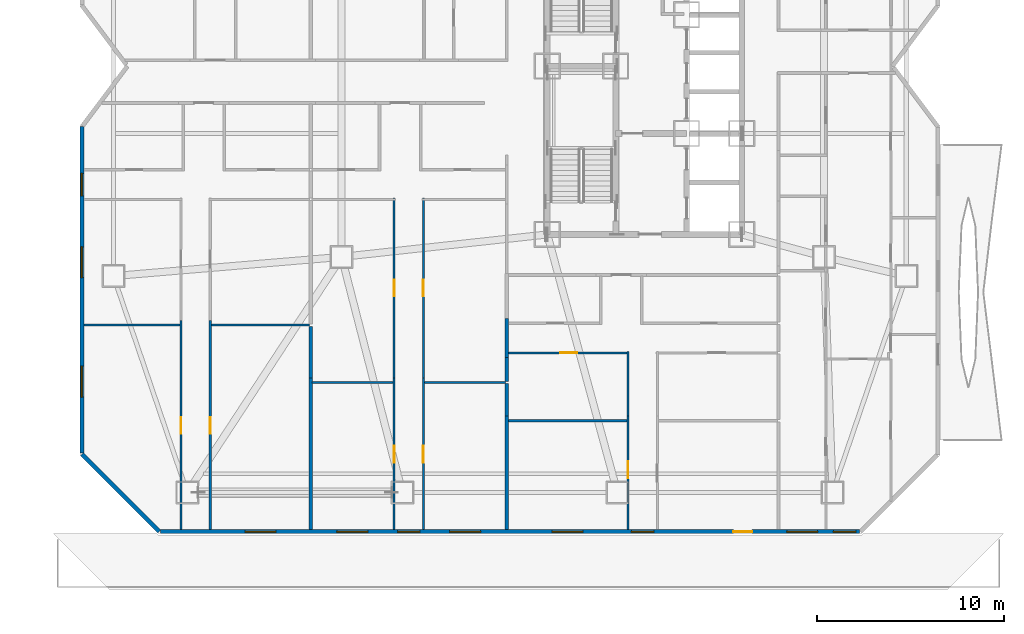
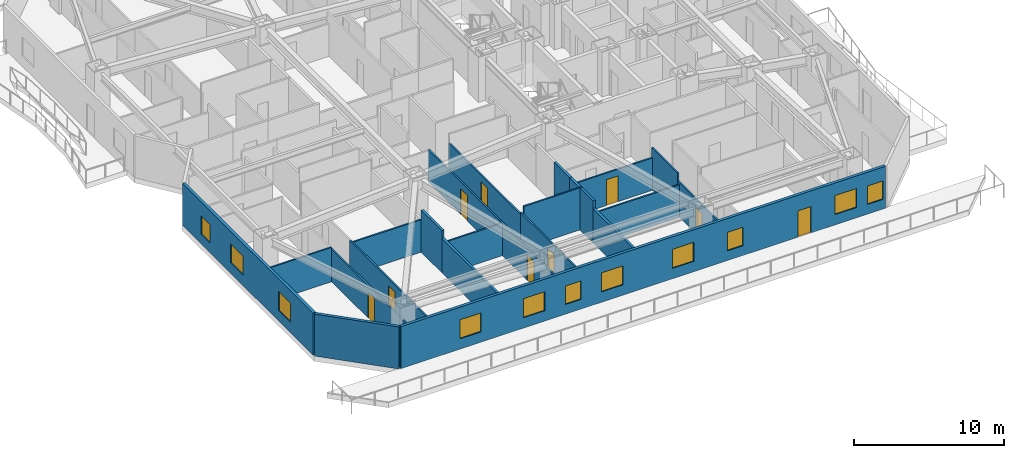
# One storey, part 9 of 18: 23 walls, 11 windows, 9 doors, 20 openings.
"""IFC4 building model written with IfcOpenShell, lengths in metres."""

from ifc_helpers import new_model, si_unit, direction, frame, frame_2d, origin, place, context, subcontext, project, spatial, rectangle, extrude, material, layer, layer_set, type_object, element, fill, save


model = new_model("IFC4")

# Units and contexts
model_context = context("Model", 3, precision=1e-05, world=origin(), true_north=direction((0.0, 1.0)))
body_context = subcontext(model_context, "Body", "Model", "MODEL_VIEW")
ifc_project = project(units=[si_unit("LENGTHUNIT", "METRE"), si_unit("AREAUNIT", "SQUARE_METRE"), si_unit("VOLUMEUNIT", "CUBIC_METRE"), si_unit("PLANEANGLEUNIT", "RADIAN"), si_unit("MASSUNIT", "GRAM", prefix="KILO")], contexts=[model_context])

# Site, building, storey
site_placement = place(None, origin())
site = spatial("IfcSite", under=ifc_project, at=site_placement, CompositionType="ELEMENT")
building_placement = place(site_placement, origin())
building = spatial("IfcBuilding", under=site, at=building_placement, Name="Khamvora Tower", CompositionType="ELEMENT")
storey_placement = place(building_placement, frame((0.0, 0.0, 33.300048828125)))
storey = spatial("IfcBuildingStorey", under=building, at=storey_placement, Name="L07", CompositionType="ELEMENT", Elevation=33.300048828125)

# Walls
ifc_material_1 = material(Name="Acoustic Double-Stud Fire Wall", Category="gypsum")
ifc_layer_1 = layer(ifc_material_1, 0.179931640625)
ifc_layer_set_1 = layer_set([ifc_layer_1], Name="Acoustic Double-Stud Fire Wall")
wall_type_1 = type_object("IfcWallType", Name="WAL-CORR-180", PredefinedType="STANDARD", material=ifc_layer_set_1)
wall_1_placement = place(storey_placement, frame((16.345947265625, 11.33203125, 0.0), z_axis=(0.0, 0.0, 1.0), x_axis=(0.0, -1.0, 0.0)))
element("IfcWall", 1, at=wall_1_placement, inside=storey, type_object=wall_type_1, Name="L07 interior partition wall 053", PredefinedType="STANDARD", context=body_context, shape_type="SweptSolid", body=[
    extrude(rectangle(XDim=8.1201171875, YDim=0.179931640625, at=frame_2d((4.06005859375, 0.0))), origin(), (0.0, 0.0, 1.0), 2.802978515625),
])
wall_2_placement = place(storey_placement, frame((16.345947265625, 14.091064453125, 0.0), z_axis=(0.0, 0.0, 1.0), x_axis=(0.0, -1.0, 0.0)))
element("IfcWall", 2, at=wall_2_placement, inside=storey, type_object=wall_type_1, Name="L07 interior partition wall 054", PredefinedType="STANDARD", context=body_context, shape_type="SweptSolid", body=[
    extrude(rectangle(XDim=2.759033203125, YDim=0.179931640625, at=frame_2d((1.37939453125, 0.0))), origin(), (0.0, 0.0, 1.0), 3.429931640625),
])
wall_3_placement = place(storey_placement, frame((26.8349609375, 9.281982421875, 0.0), z_axis=(0.0, 0.0, 1.0), x_axis=(0.0, -1.0, 0.0)))
element("IfcWall", 3, at=wall_3_placement, inside=storey, type_object=wall_type_1, Name="L07 interior partition wall 068", PredefinedType="STANDARD", context=body_context, shape_type="SweptSolid", body=[
    extrude(rectangle(XDim=6.070068359375, YDim=0.179931640625, at=frame_2d((3.03515625, 0.0))), origin(), (0.0, 0.0, 1.0), 2.802978515625),
])
wall_4_placement = place(storey_placement, frame((26.8349609375, 11.01806640625, 0.0), z_axis=(0.0, 0.0, 1.0), x_axis=(0.0, -1.0, 0.0)))
element("IfcWall", 4, at=wall_4_placement, inside=storey, type_object=wall_type_1, Name="L07 interior partition wall 069", PredefinedType="STANDARD", context=body_context, shape_type="SweptSolid", body=[
    extrude(rectangle(XDim=1.736083984375, YDim=0.179931640625, at=frame_2d((0.8681640625, 0.0))), origin(), (0.0, 0.0, 1.0), 3.429931640625),
])
wall_5_placement = place(storey_placement, frame((26.8349609375, 14.4951171875, 0.0), z_axis=(0.0, 0.0, 1.0), x_axis=(0.0, -1.0, 0.0)))
element("IfcWall", 5, at=wall_5_placement, inside=storey, type_object=wall_type_1, Name="L07 interior partition wall 070", PredefinedType="STANDARD", context=body_context, shape_type="SweptSolid", body=[
    extrude(rectangle(XDim=2.078125, YDim=0.179931640625, at=frame_2d((1.0390625, 0.0))), origin(), (0.0, 0.0, 1.0), 3.429931640625),
])
wall_6_placement = place(storey_placement, frame((26.8349609375, 12.4169921875, 0.0), z_axis=(0.0, 0.0, 1.0), x_axis=(0.0, -1.0, 0.0)))
element("IfcWall", 6, at=wall_6_placement, inside=storey, type_object=wall_type_1, Name="L07 interior partition wall 072", PredefinedType="STANDARD", context=body_context, shape_type="SweptSolid", body=[
    extrude(rectangle(XDim=1.26904296875, YDim=0.179931640625, at=frame_2d((0.634521484375, 0.0))), origin(), (0.0, 0.0, 1.0), 3.429931640625),
])
ifc_material_2 = material(Name="Precast concrete C40/50", Category="concrete")
ifc_layer_2 = layer(ifc_material_2, 0.219970703125)
ifc_layer_set_2 = layer_set([ifc_layer_2], Name="Precast concrete C40/50")
wall_type_2 = type_object("IfcWallType", Name="WAL-EXT-220", PredefinedType="STANDARD", material=ifc_layer_set_2)
wall_7_placement = place(storey_placement, frame((8.24609375, 3.110107421875, 0.0), z_axis=(0.0, 0.0, 1.0), x_axis=(-0.707106781187, 0.707106781187, 0.0)))
element("IfcWall", 7, at=wall_7_placement, inside=storey, type_object=wall_type_2, Name="L07 exterior facade wall 01.1", PredefinedType="STANDARD", context=body_context, shape_type="SweptSolid", body=[
    extrude(rectangle(XDim=5.84912109375, YDim=0.219970703125, at=frame_2d((2.924560546875, 0.0))), origin(), (0.0, 0.0, 1.0), 3.429931640625),
])

# Wall, openings, windows
wall_8_placement = place(storey_placement, frame((4.110107421875, 7.31689453125, 0.0), z_axis=(0.0, 0.0, 1.0), x_axis=(0.0, 1.0, 0.0)))
wall_8 = element("IfcWall", 8, at=wall_8_placement, inside=storey, type_object=wall_type_2, Name="L07 exterior facade wall 02.1", PredefinedType="STANDARD", context=body_context, shape_type="SweptSolid", body=[
    extrude(rectangle(XDim=17.446044921875, YDim=0.219970703125, at=frame_2d((8.72314453125, 0.0))), origin(), (0.0, 0.0, 1.0), 3.429931640625),
])
opening_1_placement = place(wall_8_placement, frame((13.748046875, 0.0, 0.800048828125)))
opening_1 = element("IfcOpeningElement", 9, at=opening_1_placement, cuts=wall_8, Name="Opening WN-03", PredefinedType="OPENING", context=body_context, shape_type="SweptSolid", body=[
    extrude(rectangle(XDim=1.199951171875, YDim=1.5, at=frame_2d((0.60009765625, 0.75))), frame((0.0, 0.119873046875, 0.0), z_axis=(0.0, -1.0, 0.0), x_axis=(1.0, 0.0, 0.0)), (0.0, 0.0, 1.0), 0.239990234375),
])
opening_2_placement = place(wall_8_placement, frame((2.987060546875, 0.0, 0.85009765625)))
opening_2 = element("IfcOpeningElement", 10, at=opening_2_placement, cuts=wall_8, Name="Opening WN-06", PredefinedType="OPENING", context=body_context, shape_type="SweptSolid", body=[
    extrude(rectangle(XDim=1.64990234375, YDim=1.550048828125, at=frame_2d((0.824951171875, 0.77490234375))), frame((0.0, 0.119873046875, 0.0), z_axis=(0.0, -1.0, 0.0), x_axis=(1.0, 0.0, 0.0)), (0.0, 0.0, 1.0), 0.239990234375),
])
opening_3_placement = place(wall_8_placement, frame((9.373046875, 0.0, 0.85009765625)))
opening_3 = element("IfcOpeningElement", 11, at=opening_3_placement, cuts=wall_8, Name="Opening WN-06", PredefinedType="OPENING", context=body_context, shape_type="SweptSolid", body=[
    extrude(rectangle(XDim=1.64990234375, YDim=1.550048828125, at=frame_2d((0.824951171875, 0.77490234375))), frame((0.0, 0.119873046875, 0.0), z_axis=(0.0, -1.0, 0.0), x_axis=(1.0, 0.0, 0.0)), (0.0, 0.0, 1.0), 0.239990234375),
])
ifc_material_3 = material(Name="Low-E Laminated Double Glazing", Category="glass")
window_type_1 = type_object("IfcWindowType", Name="WIN-VIS-1200x1500", PartitioningType="SINGLE_PANEL", PredefinedType="WINDOW", material=ifc_material_3)
window_1_placement = place(opening_1_placement, origin())
window_1 = element("IfcWindow", 12, at=window_1_placement, inside=storey, type_object=window_type_1, Name="L07 vision window 02.1.01", OverallHeight=1.5, OverallWidth=1.199951171875, PartitioningType="SINGLE_PANEL", PredefinedType="WINDOW", context=body_context, shape_type="SweptSolid", body=[
    extrude(rectangle(XDim=1.199951171875, YDim=1.5, at=frame_2d((0.60009765625, 0.75))), frame((0.0, 0.030029296875, 0.0), z_axis=(0.0, -1.0, 0.0), x_axis=(1.0, 0.0, 0.0)), (0.0, 0.0, 1.0), 0.06005859375),
])
fill(opening_1, window_1)
window_type_2 = type_object("IfcWindowType", Name="WIN-VIS-1650x1550", PartitioningType="SINGLE_PANEL", PredefinedType="WINDOW", material=ifc_material_3)
window_2_placement = place(opening_2_placement, origin())
window_2 = element("IfcWindow", 13, at=window_2_placement, inside=storey, type_object=window_type_2, Name="L07 vision window 02.1.02", OverallHeight=1.550048828125, OverallWidth=1.64990234375, PartitioningType="SINGLE_PANEL", PredefinedType="WINDOW", context=body_context, shape_type="SweptSolid", body=[
    extrude(rectangle(XDim=1.64990234375, YDim=1.550048828125, at=frame_2d((0.824951171875, 0.77490234375))), frame((0.0, 0.030029296875, 0.0), z_axis=(0.0, -1.0, 0.0), x_axis=(1.0, 0.0, 0.0)), (0.0, 0.0, 1.0), 0.06005859375),
])
fill(opening_2, window_2)
window_3_placement = place(opening_3_placement, origin())
window_3 = element("IfcWindow", 14, at=window_3_placement, inside=storey, type_object=window_type_2, Name="L07 vision window 02.1.03", OverallHeight=1.550048828125, OverallWidth=1.64990234375, PartitioningType="SINGLE_PANEL", PredefinedType="WINDOW", context=body_context, shape_type="SweptSolid", body=[
    extrude(rectangle(XDim=1.64990234375, YDim=1.550048828125, at=frame_2d((0.824951171875, 0.77490234375))), frame((0.0, 0.030029296875, 0.0), z_axis=(0.0, -1.0, 0.0), x_axis=(1.0, 0.0, 0.0)), (0.0, 0.0, 1.0), 0.06005859375),
])
fill(opening_3, window_3)

# Wall, openings, door, windows
wall_9_placement = place(storey_placement, frame((45.68310546875, 3.110107421875, 0.0), z_axis=(0.0, 0.0, 1.0), x_axis=(-1.0, 0.0, 0.0)))
wall_9 = element("IfcWall", 15, at=wall_9_placement, inside=storey, type_object=wall_type_2, Name="L07 exterior facade wall 14.1", PredefinedType="STANDARD", context=body_context, shape_type="SweptSolid", body=[
    extrude(rectangle(XDim=37.3681640625, YDim=0.219970703125, at=frame_2d((18.68408203125, 0.0))), origin(), (0.0, 0.0, 1.0), 3.429931640625),
])
opening_4_placement = place(wall_9_placement, frame((5.72802734375, 0.0, 0.0)))
opening_4 = element("IfcOpeningElement", 16, at=opening_4_placement, cuts=wall_9, Name="Opening BD-02", PredefinedType="OPENING", context=body_context, shape_type="SweptSolid", body=[
    extrude(rectangle(XDim=1.0, YDim=2.14990234375, at=frame_2d((0.5, 1.074951171875))), frame((0.0, 0.119873046875, 0.0), z_axis=(0.0, -1.0, 0.0), x_axis=(1.0, 0.0, 0.0)), (0.0, 0.0, 1.0), 0.239990234375),
])
opening_5_placement = place(wall_9_placement, frame((31.194091796875, 0.0, 0.85009765625)))
opening_5 = element("IfcOpeningElement", 17, at=opening_5_placement, cuts=wall_9, Name="Opening WN-06", PredefinedType="OPENING", context=body_context, shape_type="SweptSolid", body=[
    extrude(rectangle(XDim=1.64990234375, YDim=1.550048828125, at=frame_2d((0.824951171875, 0.77490234375))), frame((0.0, 0.119873046875, 0.0), z_axis=(0.0, -1.0, 0.0), x_axis=(1.0, 0.0, 0.0)), (0.0, 0.0, 1.0), 0.239990234375),
])
opening_6_placement = place(wall_9_placement, frame((23.491943359375, 0.0, 0.800048828125)))
opening_6 = element("IfcOpeningElement", 18, at=opening_6_placement, cuts=wall_9, Name="Opening WN-03", PredefinedType="OPENING", context=body_context, shape_type="SweptSolid", body=[
    extrude(rectangle(XDim=1.199951171875, YDim=1.5, at=frame_2d((0.60009765625, 0.75))), frame((0.0, 0.119873046875, 0.0), z_axis=(0.0, -1.0, 0.0), x_axis=(1.0, 0.0, 0.0)), (0.0, 0.0, 1.0), 0.239990234375),
])
opening_7_placement = place(wall_9_placement, frame((26.281982421875, 0.0, 0.85009765625)))
opening_7 = element("IfcOpeningElement", 19, at=opening_7_placement, cuts=wall_9, Name="Opening WN-06", PredefinedType="OPENING", context=body_context, shape_type="SweptSolid", body=[
    extrude(rectangle(XDim=1.64990234375, YDim=1.550048828125, at=frame_2d((0.824951171875, 0.77490234375))), frame((0.0, 0.119873046875, 0.0), z_axis=(0.0, -1.0, 0.0), x_axis=(1.0, 0.0, 0.0)), (0.0, 0.0, 1.0), 0.239990234375),
])
opening_8_placement = place(wall_9_placement, frame((20.2529296875, 0.0, 0.85009765625)))
opening_8 = element("IfcOpeningElement", 20, at=opening_8_placement, cuts=wall_9, Name="Opening WN-06", PredefinedType="OPENING", context=body_context, shape_type="SweptSolid", body=[
    extrude(rectangle(XDim=1.64990234375, YDim=1.550048828125, at=frame_2d((0.824951171875, 0.77490234375))), frame((0.0, 0.119873046875, 0.0), z_axis=(0.0, -1.0, 0.0), x_axis=(1.0, 0.0, 0.0)), (0.0, 0.0, 1.0), 0.239990234375),
])
opening_9_placement = place(wall_9_placement, frame((10.98291015625, 0.0, 0.800048828125)))
opening_9 = element("IfcOpeningElement", 21, at=opening_9_placement, cuts=wall_9, Name="Opening WN-03", PredefinedType="OPENING", context=body_context, shape_type="SweptSolid", body=[
    extrude(rectangle(XDim=1.199951171875, YDim=1.5, at=frame_2d((0.60009765625, 0.75))), frame((0.0, 0.119873046875, 0.0), z_axis=(0.0, -1.0, 0.0), x_axis=(1.0, 0.0, 0.0)), (0.0, 0.0, 1.0), 0.239990234375),
])
opening_10_placement = place(wall_9_placement, frame((14.782958984375, 0.0, 0.85009765625)))
opening_10 = element("IfcOpeningElement", 22, at=opening_10_placement, cuts=wall_9, Name="Opening WN-06", PredefinedType="OPENING", context=body_context, shape_type="SweptSolid", body=[
    extrude(rectangle(XDim=1.64990234375, YDim=1.550048828125, at=frame_2d((0.824951171875, 0.77490234375))), frame((0.0, 0.119873046875, 0.0), z_axis=(0.0, -1.0, 0.0), x_axis=(1.0, 0.0, 0.0)), (0.0, 0.0, 1.0), 0.239990234375),
])
opening_11_placement = place(wall_9_placement, frame((2.22802734375, 0.0, 0.85009765625)))
opening_11 = element("IfcOpeningElement", 23, at=opening_11_placement, cuts=wall_9, Name="Opening WN-06", PredefinedType="OPENING", context=body_context, shape_type="SweptSolid", body=[
    extrude(rectangle(XDim=1.64990234375, YDim=1.550048828125, at=frame_2d((0.824951171875, 0.77490234375))), frame((0.0, 0.119873046875, 0.0), z_axis=(0.0, -1.0, 0.0), x_axis=(1.0, 0.0, 0.0)), (0.0, 0.0, 1.0), 0.239990234375),
])
opening_12_placement = place(wall_9_placement, frame((0.18701171875, 0.0, 0.800048828125)))
opening_12 = element("IfcOpeningElement", 24, at=opening_12_placement, cuts=wall_9, Name="Opening WN-03", PredefinedType="OPENING", context=body_context, shape_type="SweptSolid", body=[
    extrude(rectangle(XDim=1.199951171875, YDim=1.5, at=frame_2d((0.60009765625, 0.75))), frame((0.0, 0.119873046875, 0.0), z_axis=(0.0, -1.0, 0.0), x_axis=(1.0, 0.0, 0.0)), (0.0, 0.0, 1.0), 0.239990234375),
])
ifc_material_4 = material(Name="Anodised Aluminium and Laminated Safety Glass", Category="aluminium")
door_type_1 = type_object("IfcDoorType", Name="DOR-BAL-1000", OperationType="NOTDEFINED", PredefinedType="DOOR", material=ifc_material_4)
door_1_placement = place(opening_4_placement, origin())
door_1 = element("IfcDoor", 25, at=door_1_placement, inside=storey, type_object=door_type_1, Name="L07 stepped roof terrace access door S", OperationType="SLIDING_TO_LEFT", OverallHeight=2.14990234375, OverallWidth=1.0, PredefinedType="DOOR", context=body_context, shape_type="SweptSolid", body=[
    extrude(rectangle(XDim=1.0, YDim=2.14990234375, at=frame_2d((0.5, 1.074951171875))), frame((0.0, 0.02490234375, 0.0), z_axis=(0.0, -1.0, 0.0), x_axis=(1.0, 0.0, 0.0)), (0.0, 0.0, 1.0), 0.050048828125),
])
fill(opening_4, door_1)
window_4_placement = place(opening_6_placement, origin())
window_4 = element("IfcWindow", 26, at=window_4_placement, inside=storey, type_object=window_type_1, Name="L07 vision window 14.1.02", OverallHeight=1.5, OverallWidth=1.199951171875, PartitioningType="SINGLE_PANEL", PredefinedType="WINDOW", context=body_context, shape_type="SweptSolid", body=[
    extrude(rectangle(XDim=1.199951171875, YDim=1.5, at=frame_2d((0.60009765625, 0.75))), frame((0.0, 0.030029296875, 0.0), z_axis=(0.0, -1.0, 0.0), x_axis=(1.0, 0.0, 0.0)), (0.0, 0.0, 1.0), 0.06005859375),
])
fill(opening_6, window_4)
window_5_placement = place(opening_9_placement, origin())
window_5 = element("IfcWindow", 27, at=window_5_placement, inside=storey, type_object=window_type_1, Name="L07 vision window 14.1.05", OverallHeight=1.5, OverallWidth=1.199951171875, PartitioningType="SINGLE_PANEL", PredefinedType="WINDOW", context=body_context, shape_type="SweptSolid", body=[
    extrude(rectangle(XDim=1.199951171875, YDim=1.5, at=frame_2d((0.60009765625, 0.75))), frame((0.0, 0.030029296875, 0.0), z_axis=(0.0, -1.0, 0.0), x_axis=(1.0, 0.0, 0.0)), (0.0, 0.0, 1.0), 0.06005859375),
])
fill(opening_9, window_5)
window_6_placement = place(opening_12_placement, origin())
window_6 = element("IfcWindow", 28, at=window_6_placement, inside=storey, type_object=window_type_1, Name="L07 vision window 14.1.08", OverallHeight=1.5, OverallWidth=1.199951171875, PartitioningType="SINGLE_PANEL", PredefinedType="WINDOW", context=body_context, shape_type="SweptSolid", body=[
    extrude(rectangle(XDim=1.199951171875, YDim=1.5, at=frame_2d((0.60009765625, 0.75))), frame((0.0, 0.030029296875, 0.0), z_axis=(0.0, -1.0, 0.0), x_axis=(1.0, 0.0, 0.0)), (0.0, 0.0, 1.0), 0.06005859375),
])
fill(opening_12, window_6)
window_7_placement = place(opening_5_placement, origin())
window_7 = element("IfcWindow", 29, at=window_7_placement, inside=storey, type_object=window_type_2, Name="L07 vision window 14.1.01", OverallHeight=1.550048828125, OverallWidth=1.64990234375, PartitioningType="SINGLE_PANEL", PredefinedType="WINDOW", context=body_context, shape_type="SweptSolid", body=[
    extrude(rectangle(XDim=1.64990234375, YDim=1.550048828125, at=frame_2d((0.824951171875, 0.77490234375))), frame((0.0, 0.030029296875, 0.0), z_axis=(0.0, -1.0, 0.0), x_axis=(1.0, 0.0, 0.0)), (0.0, 0.0, 1.0), 0.06005859375),
])
fill(opening_5, window_7)
window_8_placement = place(opening_7_placement, origin())
window_8 = element("IfcWindow", 30, at=window_8_placement, inside=storey, type_object=window_type_2, Name="L07 vision window 14.1.03", OverallHeight=1.550048828125, OverallWidth=1.64990234375, PartitioningType="SINGLE_PANEL", PredefinedType="WINDOW", context=body_context, shape_type="SweptSolid", body=[
    extrude(rectangle(XDim=1.64990234375, YDim=1.550048828125, at=frame_2d((0.824951171875, 0.77490234375))), frame((0.0, 0.030029296875, 0.0), z_axis=(0.0, -1.0, 0.0), x_axis=(1.0, 0.0, 0.0)), (0.0, 0.0, 1.0), 0.06005859375),
])
fill(opening_7, window_8)
window_9_placement = place(opening_8_placement, origin())
window_9 = element("IfcWindow", 31, at=window_9_placement, inside=storey, type_object=window_type_2, Name="L07 vision window 14.1.04", OverallHeight=1.550048828125, OverallWidth=1.64990234375, PartitioningType="SINGLE_PANEL", PredefinedType="WINDOW", context=body_context, shape_type="SweptSolid", body=[
    extrude(rectangle(XDim=1.64990234375, YDim=1.550048828125, at=frame_2d((0.824951171875, 0.77490234375))), frame((0.0, 0.030029296875, 0.0), z_axis=(0.0, -1.0, 0.0), x_axis=(1.0, 0.0, 0.0)), (0.0, 0.0, 1.0), 0.06005859375),
])
fill(opening_8, window_9)
window_10_placement = place(opening_10_placement, origin())
window_10 = element("IfcWindow", 32, at=window_10_placement, inside=storey, type_object=window_type_2, Name="L07 vision window 14.1.06", OverallHeight=1.550048828125, OverallWidth=1.64990234375, PartitioningType="SINGLE_PANEL", PredefinedType="WINDOW", context=body_context, shape_type="SweptSolid", body=[
    extrude(rectangle(XDim=1.64990234375, YDim=1.550048828125, at=frame_2d((0.824951171875, 0.77490234375))), frame((0.0, 0.030029296875, 0.0), z_axis=(0.0, -1.0, 0.0), x_axis=(1.0, 0.0, 0.0)), (0.0, 0.0, 1.0), 0.06005859375),
])
fill(opening_10, window_10)
window_11_placement = place(opening_11_placement, origin())
window_11 = element("IfcWindow", 33, at=window_11_placement, inside=storey, type_object=window_type_2, Name="L07 vision window 14.1.07", OverallHeight=1.550048828125, OverallWidth=1.64990234375, PartitioningType="SINGLE_PANEL", PredefinedType="WINDOW", context=body_context, shape_type="SweptSolid", body=[
    extrude(rectangle(XDim=1.64990234375, YDim=1.550048828125, at=frame_2d((0.824951171875, 0.77490234375))), frame((0.0, 0.030029296875, 0.0), z_axis=(0.0, -1.0, 0.0), x_axis=(1.0, 0.0, 0.0)), (0.0, 0.0, 1.0), 0.06005859375),
])
fill(opening_11, window_11)

# Wall, opening, door
ifc_material_5 = material(Name="Gypsum Plasterboard Partition", Category="gypsum")
ifc_layer_3 = layer(ifc_material_5, 0.1201171875)
ifc_layer_set_3 = layer_set([ifc_layer_3], Name="Gypsum Plasterboard Partition")
wall_type_3 = type_object("IfcWallType", Name="WAL-PART-120", PredefinedType="PARTITIONING", material=ifc_layer_set_3)
wall_10_placement = place(storey_placement, frame((9.410888671875, 3.2119140625, 0.0), z_axis=(0.0, 0.0, 1.0), x_axis=(0.0, 1.0, 0.0)))
wall_10 = element("IfcWall", 34, at=wall_10_placement, inside=storey, type_object=wall_type_3, Name="L07 interior partition wall 043", PredefinedType="PARTITIONING", context=body_context, shape_type="SweptSolid", body=[
    extrude(rectangle(XDim=11.193115234375, YDim=0.1201171875, at=frame_2d((5.5966796875, 0.0))), origin(), (0.0, 0.0, 1.0), 2.64697265625),
])
opening_13_placement = place(wall_10_placement, frame((5.125, 0.0, 0.0)))
opening_13 = element("IfcOpeningElement", 35, at=opening_13_placement, cuts=wall_10, Name="Opening D-RM1", PredefinedType="OPENING", context=body_context, shape_type="SweptSolid", body=[
    extrude(rectangle(XDim=0.89990234375, YDim=2.10009765625, at=frame_2d((0.449951171875, 1.050048828125))), frame((0.0, 0.070068359375, 0.0), z_axis=(0.0, -1.0, 0.0), x_axis=(1.0, 0.0, 0.0)), (0.0, 0.0, 1.0), 0.14013671875),
])
ifc_material_6 = material(Name="Powder-Coated Steel and Hardwood Leaf", Category="steel")
door_type_2 = type_object("IfcDoorType", Name="DOR-ROOM-900", OperationType="NOTDEFINED", PredefinedType="DOOR", material=ifc_material_6)
door_2_placement = place(opening_13_placement, origin())
door_2 = element("IfcDoor", 36, at=door_2_placement, inside=storey, type_object=door_type_2, Name="L07 interior door 07WA1H-07WA1R1", OperationType="SINGLE_SWING_RIGHT", OverallHeight=2.10009765625, OverallWidth=0.89990234375, PredefinedType="DOOR", context=body_context, shape_type="SweptSolid", body=[
    extrude(rectangle(XDim=0.89990234375, YDim=2.10009765625, at=frame_2d((0.449951171875, 1.050048828125))), frame((0.0, 0.02490234375, 0.0), z_axis=(0.0, -1.0, 0.0), x_axis=(1.0, 0.0, 0.0)), (0.0, 0.0, 1.0), 0.050048828125),
])
fill(opening_13, door_2)

wall_11_placement = place(storey_placement, frame((10.98095703125, 14.405029296875, 0.0), z_axis=(0.0, 0.0, 1.0), x_axis=(0.0, -1.0, 0.0)))
wall_11 = element("IfcWall", 37, at=wall_11_placement, inside=storey, type_object=wall_type_3, Name="L07 interior partition wall 046", PredefinedType="PARTITIONING", context=body_context, shape_type="SweptSolid", body=[
    extrude(rectangle(XDim=11.193115234375, YDim=0.1201171875, at=frame_2d((5.5966796875, 0.0))), origin(), (0.0, 0.0, 1.0), 2.64697265625),
])
opening_14_placement = place(wall_11_placement, frame((5.1669921875, 0.0, 0.0)))
opening_14 = element("IfcOpeningElement", 38, at=opening_14_placement, cuts=wall_11, Name="Opening D-RM1", PredefinedType="OPENING", context=body_context, shape_type="SweptSolid", body=[
    extrude(rectangle(XDim=0.89990234375, YDim=2.10009765625, at=frame_2d((0.449951171875, 1.050048828125))), frame((0.0, 0.070068359375, 0.0), z_axis=(0.0, -1.0, 0.0), x_axis=(1.0, 0.0, 0.0)), (0.0, 0.0, 1.0), 0.14013671875),
])
door_3_placement = place(opening_14_placement, origin())
door_3 = element("IfcDoor", 39, at=door_3_placement, inside=storey, type_object=door_type_2, Name="L07 interior door 07WA1H-07WA1R3", OperationType="SINGLE_SWING_RIGHT", OverallHeight=2.10009765625, OverallWidth=0.89990234375, PredefinedType="DOOR", context=body_context, shape_type="SweptSolid", body=[
    extrude(rectangle(XDim=0.89990234375, YDim=2.10009765625, at=frame_2d((0.449951171875, 1.050048828125))), frame((0.0, 0.02490234375, 0.0), z_axis=(0.0, -1.0, 0.0), x_axis=(1.0, 0.0, 0.0)), (0.0, 0.0, 1.0), 0.050048828125),
])
fill(opening_14, door_3)

# Walls
wall_12_placement = place(storey_placement, frame((4.2119140625, 14.156005859375, 0.0), z_axis=(0.0, 0.0, 1.0), x_axis=(1.0, 0.0, 0.0)))
element("IfcWall", 40, at=wall_12_placement, inside=storey, type_object=wall_type_3, Name="L07 interior partition wall 051", PredefinedType="PARTITIONING", context=body_context, shape_type="SweptSolid", body=[
    extrude(rectangle(XDim=5.14501953125, YDim=0.1201171875, at=frame_2d((2.572509765625, 0.0))), origin(), (0.0, 0.0, 1.0), 2.802978515625),
])
wall_13_placement = place(storey_placement, frame((11.034912109375, 14.156005859375, 0.0), z_axis=(0.0, 0.0, 1.0), x_axis=(1.0, 0.0, 0.0)))
element("IfcWall", 41, at=wall_13_placement, inside=storey, type_object=wall_type_3, Name="L07 interior partition wall 052", PredefinedType="PARTITIONING", context=body_context, shape_type="SweptSolid", body=[
    extrude(rectangle(XDim=5.24609375, YDim=0.1201171875, at=frame_2d((2.623046875, 0.0))), origin(), (0.0, 0.0, 1.0), 2.64697265625),
])

# Wall, opening, door
wall_14_placement = place(storey_placement, frame((20.805908203125, 3.2119140625, 0.0), z_axis=(0.0, 0.0, 1.0), x_axis=(0.0, 1.0, 0.0)))
wall_14 = element("IfcWall", 42, at=wall_14_placement, inside=storey, type_object=wall_type_3, Name="L07 interior partition wall 060", PredefinedType="PARTITIONING", context=body_context, shape_type="SweptSolid", body=[
    extrude(rectangle(XDim=8.1201171875, YDim=0.1201171875, at=frame_2d((4.06005859375, 0.0))), origin(), (0.0, 0.0, 1.0), 2.64697265625),
])
opening_15_placement = place(wall_14_placement, frame((3.589111328125, 0.0, 0.0)))
opening_15 = element("IfcOpeningElement", 43, at=opening_15_placement, cuts=wall_14, Name="Opening D-RM1", PredefinedType="OPENING", context=body_context, shape_type="SweptSolid", body=[
    extrude(rectangle(XDim=0.89990234375, YDim=2.10009765625, at=frame_2d((0.449951171875, 1.050048828125))), frame((0.0, 0.070068359375, 0.0), z_axis=(0.0, -1.0, 0.0), x_axis=(1.0, 0.0, 0.0)), (0.0, 0.0, 1.0), 0.14013671875),
])
door_4_placement = place(opening_15_placement, origin())
door_4 = element("IfcDoor", 44, at=door_4_placement, inside=storey, type_object=door_type_2, Name="L07 interior door 07WA2H-07WA2R1", OperationType="SINGLE_SWING_RIGHT", OverallHeight=2.10009765625, OverallWidth=0.89990234375, PredefinedType="DOOR", context=body_context, shape_type="SweptSolid", body=[
    extrude(rectangle(XDim=0.89990234375, YDim=2.10009765625, at=frame_2d((0.449951171875, 1.050048828125))), frame((0.0, 0.02490234375, 0.0), z_axis=(0.0, -1.0, 0.0), x_axis=(1.0, 0.0, 0.0)), (0.0, 0.0, 1.0), 0.050048828125),
])
fill(opening_15, door_4)

wall_15_placement = place(storey_placement, frame((20.805908203125, 11.33203125, 0.0), z_axis=(0.0, 0.0, 1.0), x_axis=(0.0, 1.0, 0.0)))
wall_15 = element("IfcWall", 45, at=wall_15_placement, inside=storey, type_object=wall_type_3, Name="L07 interior partition wall 061", PredefinedType="PARTITIONING", context=body_context, shape_type="SweptSolid", body=[
    extrude(rectangle(XDim=9.60791015625, YDim=0.1201171875, at=frame_2d((4.803955078125, 0.0))), origin(), (0.0, 0.0, 1.0), 2.64697265625),
])
opening_16_placement = place(wall_15_placement, frame((4.35400390625, 0.0, 0.0)))
opening_16 = element("IfcOpeningElement", 46, at=opening_16_placement, cuts=wall_15, Name="Opening D-RM1", PredefinedType="OPENING", context=body_context, shape_type="SweptSolid", body=[
    extrude(rectangle(XDim=0.89990234375, YDim=2.10009765625, at=frame_2d((0.449951171875, 1.050048828125))), frame((0.0, 0.070068359375, 0.0), z_axis=(0.0, -1.0, 0.0), x_axis=(1.0, 0.0, 0.0)), (0.0, 0.0, 1.0), 0.14013671875),
])
door_5_placement = place(opening_16_placement, origin())
door_5 = element("IfcDoor", 47, at=door_5_placement, inside=storey, type_object=door_type_2, Name="L07 interior door 07WA2H-07WA2R2", OperationType="SINGLE_SWING_LEFT", OverallHeight=2.10009765625, OverallWidth=0.89990234375, PredefinedType="DOOR", context=body_context, shape_type="SweptSolid", body=[
    extrude(rectangle(XDim=0.89990234375, YDim=2.10009765625, at=frame_2d((0.449951171875, 1.050048828125))), frame((0.0, 0.02490234375, 0.0), z_axis=(0.0, -1.0, 0.0), x_axis=(1.0, 0.0, 0.0)), (0.0, 0.0, 1.0), 0.050048828125),
])
fill(opening_16, door_5)

wall_16_placement = place(storey_placement, frame((22.3759765625, 11.33203125, 0.0), z_axis=(0.0, 0.0, 1.0), x_axis=(0.0, -1.0, 0.0)))
wall_16 = element("IfcWall", 48, at=wall_16_placement, inside=storey, type_object=wall_type_3, Name="L07 interior partition wall 063", PredefinedType="PARTITIONING", context=body_context, shape_type="SweptSolid", body=[
    extrude(rectangle(XDim=8.1201171875, YDim=0.1201171875, at=frame_2d((4.06005859375, 0.0))), origin(), (0.0, 0.0, 1.0), 2.802978515625),
])
opening_17_placement = place(wall_16_placement, frame((3.631103515625, 0.0, 0.0)))
opening_17 = element("IfcOpeningElement", 49, at=opening_17_placement, cuts=wall_16, Name="Opening D-RM1", PredefinedType="OPENING", context=body_context, shape_type="SweptSolid", body=[
    extrude(rectangle(XDim=0.89990234375, YDim=2.10009765625, at=frame_2d((0.449951171875, 1.050048828125))), frame((0.0, 0.070068359375, 0.0), z_axis=(0.0, -1.0, 0.0), x_axis=(1.0, 0.0, 0.0)), (0.0, 0.0, 1.0), 0.14013671875),
])
door_6_placement = place(opening_17_placement, origin())
door_6 = element("IfcDoor", 50, at=door_6_placement, inside=storey, type_object=door_type_2, Name="L07 interior door 07WA2H-07WA2R3", OperationType="SINGLE_SWING_RIGHT", OverallHeight=2.10009765625, OverallWidth=0.89990234375, PredefinedType="DOOR", context=body_context, shape_type="SweptSolid", body=[
    extrude(rectangle(XDim=0.89990234375, YDim=2.10009765625, at=frame_2d((0.449951171875, 1.050048828125))), frame((0.0, 0.02490234375, 0.0), z_axis=(0.0, -1.0, 0.0), x_axis=(1.0, 0.0, 0.0)), (0.0, 0.0, 1.0), 0.050048828125),
])
fill(opening_17, door_6)

wall_17_placement = place(storey_placement, frame((22.3759765625, 20.93994140625, 0.0), z_axis=(0.0, 0.0, 1.0), x_axis=(0.0, -1.0, 0.0)))
wall_17 = element("IfcWall", 51, at=wall_17_placement, inside=storey, type_object=wall_type_3, Name="L07 interior partition wall 065", PredefinedType="PARTITIONING", context=body_context, shape_type="SweptSolid", body=[
    extrude(rectangle(XDim=9.60791015625, YDim=0.1201171875, at=frame_2d((4.803955078125, 0.0))), origin(), (0.0, 0.0, 1.0), 2.64697265625),
])
opening_18_placement = place(wall_17_placement, frame((4.35400390625, 0.0, 0.0)))
opening_18 = element("IfcOpeningElement", 52, at=opening_18_placement, cuts=wall_17, Name="Opening D-RM1", PredefinedType="OPENING", context=body_context, shape_type="SweptSolid", body=[
    extrude(rectangle(XDim=0.89990234375, YDim=2.10009765625, at=frame_2d((0.449951171875, 1.050048828125))), frame((0.0, 0.070068359375, 0.0), z_axis=(0.0, -1.0, 0.0), x_axis=(1.0, 0.0, 0.0)), (0.0, 0.0, 1.0), 0.14013671875),
])
door_7_placement = place(opening_18_placement, origin())
door_7 = element("IfcDoor", 53, at=door_7_placement, inside=storey, type_object=door_type_2, Name="L07 interior door 07WA2H-07WA2R4", OperationType="SINGLE_SWING_LEFT", OverallHeight=2.10009765625, OverallWidth=0.89990234375, PredefinedType="DOOR", context=body_context, shape_type="SweptSolid", body=[
    extrude(rectangle(XDim=0.89990234375, YDim=2.10009765625, at=frame_2d((0.449951171875, 1.050048828125))), frame((0.0, 0.02490234375, 0.0), z_axis=(0.0, -1.0, 0.0), x_axis=(1.0, 0.0, 0.0)), (0.0, 0.0, 1.0), 0.050048828125),
])
fill(opening_18, door_7)

# Walls
wall_18_placement = place(storey_placement, frame((16.427978515625, 11.0830078125, 0.0), z_axis=(0.0, 0.0, 1.0), x_axis=(1.0, 0.0, 0.0)))
element("IfcWall", 54, at=wall_18_placement, inside=storey, type_object=wall_type_3, Name="L07 interior partition wall 066", PredefinedType="PARTITIONING", context=body_context, shape_type="SweptSolid", body=[
    extrude(rectangle(XDim=4.323974609375, YDim=0.1201171875, at=frame_2d((2.162109375, 0.0))), origin(), (0.0, 0.0, 1.0), 2.64697265625),
])
wall_19_placement = place(storey_placement, frame((22.429931640625, 11.0830078125, 0.0), z_axis=(0.0, 0.0, 1.0), x_axis=(1.0, 0.0, 0.0)))
element("IfcWall", 55, at=wall_19_placement, inside=storey, type_object=wall_type_3, Name="L07 interior partition wall 067", PredefinedType="PARTITIONING", context=body_context, shape_type="SweptSolid", body=[
    extrude(rectangle(XDim=4.340087890625, YDim=0.1201171875, at=frame_2d((2.169921875, 0.0))), origin(), (0.0, 0.0, 1.0), 3.429931640625),
])

# Wall, opening, door
wall_20_placement = place(storey_placement, frame((33.31494140625, 3.2119140625, 0.0), z_axis=(0.0, 0.0, 1.0), x_axis=(0.0, 1.0, 0.0)))
wall_20 = element("IfcWall", 56, at=wall_20_placement, inside=storey, type_object=wall_type_3, Name="L07 interior partition wall 110", PredefinedType="PARTITIONING", context=body_context, shape_type="SweptSolid", body=[
    extrude(rectangle(XDim=6.070068359375, YDim=0.1201171875, at=frame_2d((3.03515625, 0.0))), origin(), (0.0, 0.0, 1.0), 2.802978515625),
])
opening_19_placement = place(wall_20_placement, frame((2.756103515625, 0.0, 0.0)))
opening_19 = element("IfcOpeningElement", 57, at=opening_19_placement, cuts=wall_20, Name="Opening D-RM1", PredefinedType="OPENING", context=body_context, shape_type="SweptSolid", body=[
    extrude(rectangle(XDim=0.89990234375, YDim=2.10009765625, at=frame_2d((0.449951171875, 1.050048828125))), frame((0.0, 0.070068359375, 0.0), z_axis=(0.0, -1.0, 0.0), x_axis=(1.0, 0.0, 0.0)), (0.0, 0.0, 1.0), 0.14013671875),
])
door_8_placement = place(opening_19_placement, origin())
door_8 = element("IfcDoor", 58, at=door_8_placement, inside=storey, type_object=door_type_2, Name="L07 interior door 07SAH-07SAR1", OperationType="SINGLE_SWING_RIGHT", OverallHeight=2.10009765625, OverallWidth=0.89990234375, PredefinedType="DOOR", context=body_context, shape_type="SweptSolid", body=[
    extrude(rectangle(XDim=0.89990234375, YDim=2.10009765625, at=frame_2d((0.449951171875, 1.050048828125))), frame((0.0, 0.02490234375, 0.0), z_axis=(0.0, -1.0, 0.0), x_axis=(1.0, 0.0, 0.0)), (0.0, 0.0, 1.0), 0.050048828125),
])
fill(opening_19, door_8)

# Wall
wall_21_placement = place(storey_placement, frame((33.31494140625, 9.281982421875, 0.0), z_axis=(0.0, 0.0, 1.0), x_axis=(0.0, 1.0, 0.0)))
element("IfcWall", 59, at=wall_21_placement, inside=storey, type_object=wall_type_3, Name="L07 interior partition wall 111", PredefinedType="PARTITIONING", context=body_context, shape_type="SweptSolid", body=[
    extrude(rectangle(XDim=3.448974609375, YDim=0.1201171875, at=frame_2d((1.724609375, 0.0))), origin(), (0.0, 0.0, 1.0), 3.429931640625),
])

# Wall, opening, door
wall_22_placement = place(storey_placement, frame((33.3798828125, 12.666015625, 0.0), z_axis=(0.0, 0.0, 1.0), x_axis=(-1.0, 0.0, 0.0)))
wall_22 = element("IfcWall", 60, at=wall_22_placement, inside=storey, type_object=wall_type_3, Name="L07 interior partition wall 112", PredefinedType="PARTITIONING", context=body_context, shape_type="SweptSolid", body=[
    extrude(rectangle(XDim=6.462890625, YDim=0.1201171875, at=frame_2d((3.2314453125, 0.0))), origin(), (0.0, 0.0, 1.0), 2.64697265625),
])
opening_20_placement = place(wall_22_placement, frame((2.781005859375, 0.0, 0.0)))
opening_20 = element("IfcOpeningElement", 61, at=opening_20_placement, cuts=wall_22, Name="Opening D-RM1", PredefinedType="OPENING", context=body_context, shape_type="SweptSolid", body=[
    extrude(rectangle(XDim=0.89990234375, YDim=2.10009765625, at=frame_2d((0.449951171875, 1.050048828125))), frame((0.0, 0.070068359375, 0.0), z_axis=(0.0, -1.0, 0.0), x_axis=(1.0, 0.0, 0.0)), (0.0, 0.0, 1.0), 0.14013671875),
])
door_9_placement = place(opening_20_placement, origin())
door_9 = element("IfcDoor", 62, at=door_9_placement, inside=storey, type_object=door_type_2, Name="L07 interior door 07SAH-07SAR2", OperationType="SINGLE_SWING_RIGHT", OverallHeight=2.10009765625, OverallWidth=0.89990234375, PredefinedType="DOOR", context=body_context, shape_type="SweptSolid", body=[
    extrude(rectangle(XDim=0.89990234375, YDim=2.10009765625, at=frame_2d((0.449951171875, 1.050048828125))), frame((0.0, 0.02490234375, 0.0), z_axis=(0.0, -1.0, 0.0), x_axis=(1.0, 0.0, 0.0)), (0.0, 0.0, 1.0), 0.050048828125),
])
fill(opening_20, door_9)

# Wall
wall_23_placement = place(storey_placement, frame((26.9169921875, 9.032958984375, 0.0), z_axis=(0.0, 0.0, 1.0), x_axis=(1.0, 0.0, 0.0)))
element("IfcWall", 63, at=wall_23_placement, inside=storey, type_object=wall_type_3, Name="L07 interior partition wall 118", PredefinedType="PARTITIONING", context=body_context, shape_type="SweptSolid", body=[
    extrude(rectangle(XDim=6.343994140625, YDim=0.1201171875, at=frame_2d((3.171875, 0.0))), origin(), (0.0, 0.0, 1.0), 2.64697265625),
])

save(model, "model.ifc")
